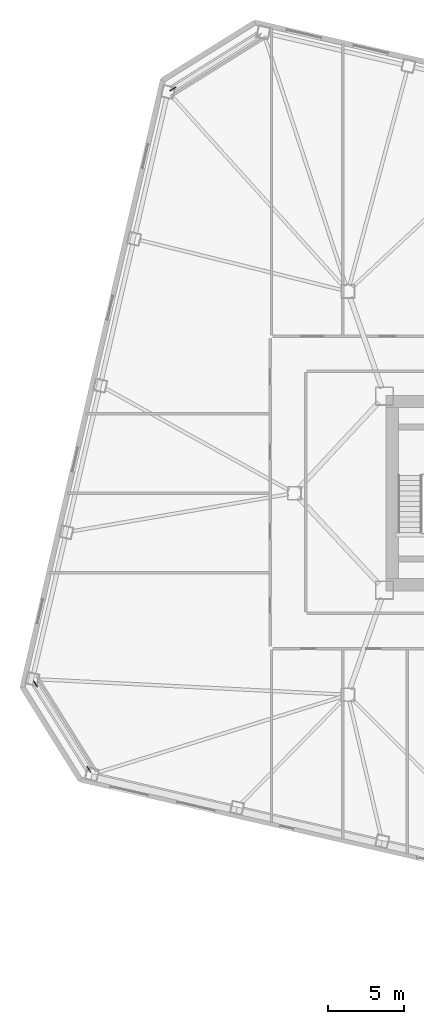
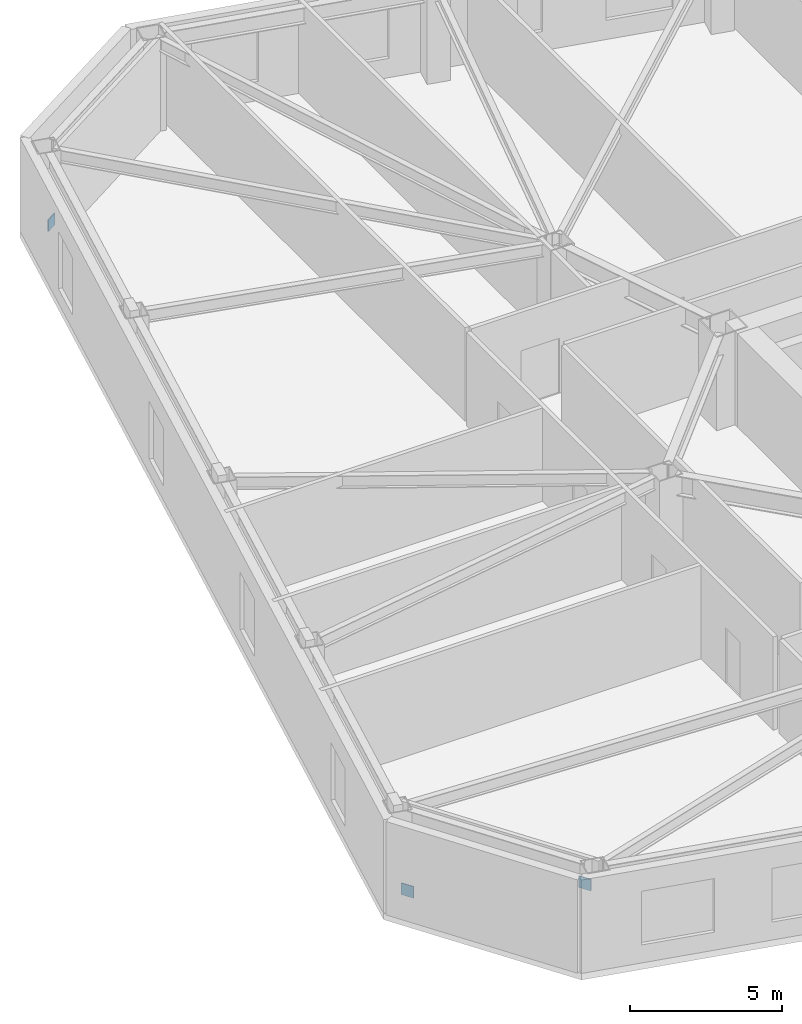
# One storey, part 19 of 23: 3 discrete accessories.
"""IFC4 building model written with IfcOpenShell, lengths in metres."""

from ifc_helpers import new_model, si_unit, direction, frame, origin, origin_2d, place, context, subcontext, project, spatial, rectangle, extrude, material, type_object, element, save


model = new_model("IFC4")

# Units and contexts
model_context = context("Model", 3, precision=1e-05, world=origin(), true_north=direction((0.0, 1.0)))
body_context = subcontext(model_context, "Body", "Model", "MODEL_VIEW")
ifc_project = project(units=[si_unit("LENGTHUNIT", "METRE"), si_unit("AREAUNIT", "SQUARE_METRE"), si_unit("VOLUMEUNIT", "CUBIC_METRE"), si_unit("PLANEANGLEUNIT", "RADIAN"), si_unit("MASSUNIT", "GRAM", prefix="KILO")], contexts=[model_context])

# Site, building, storey
site_placement = place(None, origin())
site = spatial("IfcSite", under=ifc_project, at=site_placement, CompositionType="ELEMENT")
building_placement = place(site_placement, origin())
building = spatial("IfcBuilding", under=site, at=building_placement, Name="Tavrogorsk Clinical Tower", CompositionType="ELEMENT")
storey_placement = place(building_placement, frame((0.0, 0.0, 63.39990234375)))
storey = spatial("IfcBuildingStorey", under=building, at=storey_placement, Name="L13", CompositionType="ELEMENT", Elevation=63.39990234375)

# Discrete accessories
ifc_material = material(Name="Structural steel S440", Category="steel")
discrete_accessory_type = type_object("IfcDiscreteAccessoryType", Name="GussetPlateBracket_25", PredefinedType="BRACKET", material=ifc_material)
for number, where, z_axis, x_axis, name in (
    (1, (-35.951904296875, 26.46240234375, 0.212646484375), (0.0, 0.0, 1.0), (0.848048096156, 0.529919264233, 0.0), "L13 Brace Gusset Plate EXOCRN-L13-3-A"),
    (2, (-44.94580078125, -12.49365234375, 0.212646484375), (0.0, 0.0, 1.0), (0.529919264233, -0.848048096156, 0.0), "L13 Brace Gusset Plate EXOCRN-L13-4-A"),
    (3, (-41.453857421875, -18.081787109375, 2.667724609375), (0.0, 0.0, 1.0), (0.529919264233, -0.848048096156, 0.0), "L13 Brace Gusset Plate EXOCRN-L13-4-B"),
):
    element("IfcDiscreteAccessory", number, at=place(storey_placement, frame(where, z_axis=z_axis, x_axis=x_axis)), inside=storey, type_object=discrete_accessory_type, Name=name, PredefinedType="BRACKET", context=body_context, shape_type="SweptSolid", body=[
        extrude(rectangle(XDim=0.4599609375, YDim=0.0400390625, at=origin_2d()), origin(), (0.0, 0.0, 1.0), 0.4599609375),
    ])

save(model, "model.ifc")
